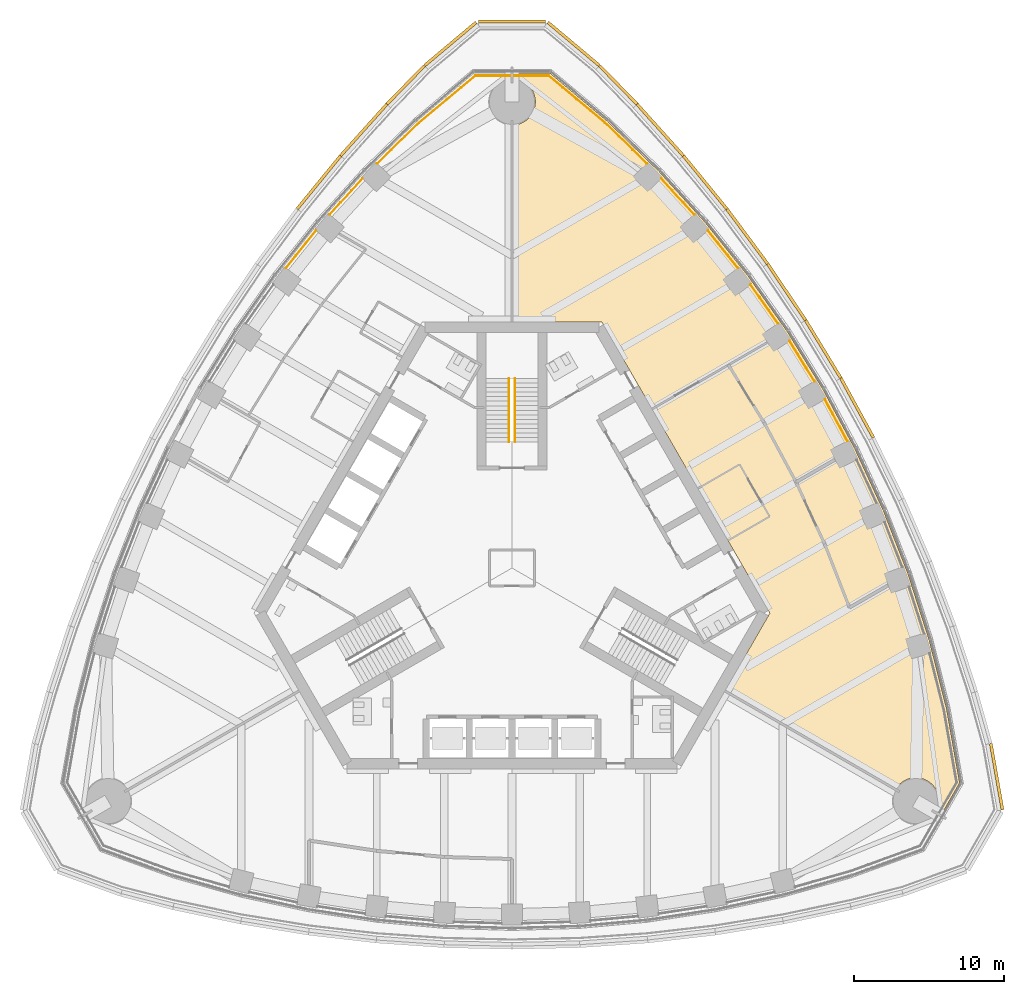
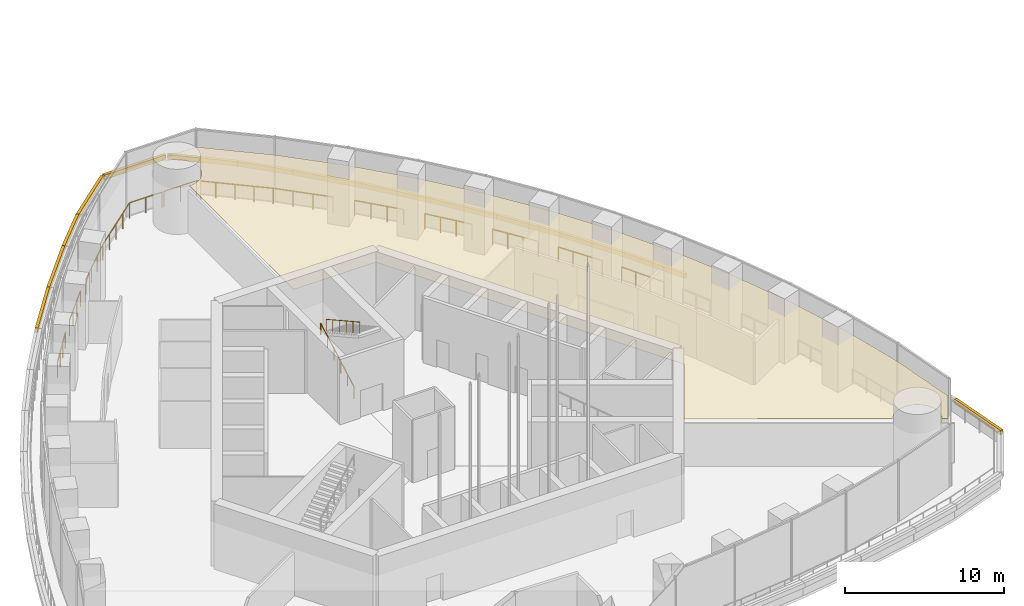
# One storey, part 16 of 26: 15 coverings, 11 railings.
"""IFC4 building model written with IfcOpenShell, lengths in metres."""

from ifc_helpers import new_model, si_unit, direction, frame, origin, origin_2d, place, context, subcontext, project, spatial, polyline, rectangle, circle, outline, extrude, material, layer, layer_set, type_object, element, save


model = new_model("IFC4")

# Units and contexts
model_context = context("Model", 3, precision=1e-05, world=origin(), true_north=direction((0.0, 1.0)))
body_context = subcontext(model_context, "Body", "Model", "MODEL_VIEW")
ifc_project = project(units=[si_unit("LENGTHUNIT", "METRE"), si_unit("AREAUNIT", "SQUARE_METRE"), si_unit("VOLUMEUNIT", "CUBIC_METRE"), si_unit("PLANEANGLEUNIT", "RADIAN"), si_unit("MASSUNIT", "GRAM", prefix="KILO")], contexts=[model_context])

# Site, building, storey
site_placement = place(None, origin())
site = spatial("IfcSite", under=ifc_project, at=site_placement, CompositionType="ELEMENT")
building_placement = place(site_placement, origin())
building = spatial("IfcBuilding", under=site, at=building_placement, Name="Trefoil Bronze Tower", CompositionType="ELEMENT")
storey_placement = place(building_placement, frame((0.0, 0.0, 271.300048828125)))
storey = spatial("IfcBuildingStorey", under=building, at=storey_placement, Name="L62", CompositionType="ELEMENT", Elevation=271.300048828125)

# Covering
ifc_material_1 = material(Name="Bronze metal ceiling panels", Category="metal")
ifc_layer = layer(ifc_material_1, 0.02001953125)
ifc_layer_set = layer_set([ifc_layer], Name="Feature ceiling 20")
covering_type_1 = type_object("IfcCoveringType", Name="Feature ceiling 20", PredefinedType="CEILING", material=ifc_layer_set)
covering_1_placement = place(storey_placement, frame((0.0, 0.0, 3.599853515625)))
element("IfcCovering", 1, at=covering_1_placement, inside=storey, type_object=covering_type_1, Name="Ceiling L62 Sky lobby F2", PredefinedType="CEILING", context=body_context, shape_type="SweptSolid", body=[
    extrude(outline(polyline([(9.741455078125, 26.408935546875), (12.836181640625, 22.99951171875), (15.682861328125, 19.44677734375), (18.2880859375, 15.7548828125), (20.656005859375, 11.92578125), (22.7880859375, 7.960693359375), (24.682861328125, 3.8583984375), (26.336181640625, -0.38330078125), (27.741455078125, -4.76806640625), (28.899169921875, -9.3515625), (29.770263671875, -14.291748046875), (28.522216796875, -16.453125), (28.19482421875, -16.26416015625), (28.2138671875, -16.230712890625), (28.248046875, -16.16259765625), (28.27880859375, -16.09326171875), (28.30615234375, -16.022216796875), (28.330078125, -15.949951171875), (28.350341796875, -15.876708984375), (28.366943359375, -15.802490234375), (28.3798828125, -15.727294921875), (28.389404296875, -15.65185546875), (28.39501953125, -15.576171875), (28.396728515625, -15.5), (28.39501953125, -15.423828125), (28.389404296875, -15.34814453125), (28.3798828125, -15.272705078125), (28.366943359375, -15.197509765625), (28.350341796875, -15.123291015625), (28.330078125, -15.050048828125), (28.30615234375, -14.977783203125), (28.27880859375, -14.90673828125), (28.248046875, -14.83740234375), (28.2138671875, -14.769287109375), (28.17626953125, -14.703125), (28.135498046875, -14.638916015625), (28.091796875, -14.57666015625), (28.044921875, -14.5166015625), (27.995361328125, -14.458984375), (27.94287109375, -14.404052734375), (27.8876953125, -14.3515625), (27.830078125, -14.3017578125), (27.77001953125, -14.2548828125), (27.7080078125, -14.211181640625), (27.6435546875, -14.17041015625), (27.577392578125, -14.133056640625), (27.509521484375, -14.098876953125), (27.43994140625, -14.068115234375), (27.368896484375, -14.04052734375), (27.296630859375, -14.0166015625), (27.223388671875, -13.99658203125), (27.149169921875, -13.979736328125), (27.07421875, -13.966796875), (26.998779296875, -13.95751953125), (26.9228515625, -13.951904296875), (26.8466796875, -13.949951171875), (26.770751953125, -13.951904296875), (26.69482421875, -13.95751953125), (26.619384765625, -13.966796875), (26.54443359375, -13.979736328125), (26.47021484375, -13.99658203125), (26.396728515625, -14.0166015625), (26.32470703125, -14.04052734375), (26.253662109375, -14.068115234375), (26.18408203125, -14.098876953125), (26.1162109375, -14.133056640625), (26.0498046875, -14.17041015625), (25.985595703125, -14.211181640625), (25.923583984375, -14.2548828125), (25.863525390625, -14.3017578125), (25.805908203125, -14.3515625), (25.750732421875, -14.404052734375), (25.6982421875, -14.458984375), (25.648681640625, -14.5166015625), (25.601806640625, -14.57666015625), (25.55810546875, -14.638916015625), (25.51025390625, -14.715576171875), (14.16259765625, -8.169677734375), (17.147216796875, -3.0), (5.9755859375, 16.35009765625), (0.006103515625, 16.35009765625), (0.010986328125, 29.4501953125), (0.076171875, 29.451904296875), (0.15185546875, 29.45751953125), (0.227294921875, 29.466796875), (0.302490234375, 29.479736328125), (0.376708984375, 29.49658203125), (0.449951171875, 29.5166015625), (0.522216796875, 29.54052734375), (0.59326171875, 29.568115234375), (0.66259765625, 29.598876953125), (0.730712890625, 29.633056640625), (0.796875, 29.67041015625), (0.861083984375, 29.711181640625), (0.92333984375, 29.7548828125), (0.9833984375, 29.8017578125), (1.041015625, 29.8515625), (1.095947265625, 29.904052734375), (1.1484375, 29.958984375), (1.1982421875, 30.0166015625), (1.2451171875, 30.07666015625), (1.288818359375, 30.138916015625), (1.32958984375, 30.203125), (1.366943359375, 30.269287109375), (1.401123046875, 30.33740234375), (1.431884765625, 30.40673828125), (1.45947265625, 30.477783203125), (1.4833984375, 30.550048828125), (1.50341796875, 30.623291015625), (1.520263671875, 30.697509765625), (1.533203125, 30.772705078125), (1.54248046875, 30.84814453125), (1.548095703125, 30.923828125), (1.550048828125, 31.0), (1.548095703125, 31.076171875), (1.54248046875, 31.15185546875), (1.533203125, 31.227294921875), (1.520263671875, 31.302490234375), (1.50341796875, 31.376708984375), (1.4833984375, 31.449951171875), (1.45947265625, 31.522216796875), (1.431884765625, 31.59326171875), (1.401123046875, 31.66259765625), (1.366943359375, 31.730712890625), (1.32958984375, 31.796875), (1.288818359375, 31.861083984375), (1.2451171875, 31.92333984375), (1.1982421875, 31.9833984375), (1.1484375, 32.041015625), (1.095947265625, 32.095947265625), (1.041015625, 32.1484375), (0.9833984375, 32.1982421875), (0.92333984375, 32.2451171875), (0.861083984375, 32.288818359375), (0.796875, 32.32958984375), (0.730712890625, 32.366943359375), (0.66259765625, 32.401123046875), (0.59326171875, 32.431884765625), (0.522216796875, 32.45947265625), (0.449951171875, 32.4833984375), (0.376708984375, 32.50341796875), (0.302490234375, 32.520263671875), (0.227294921875, 32.533203125), (0.15185546875, 32.54248046875), (0.076171875, 32.548095703125), (0.01220703125, 32.5498046875), (0.01220703125, 32.927490234375), (2.508056640625, 32.927490234375), (6.350830078125, 29.703125), (9.741455078125, 26.408935546875)])), origin(), (0.0, 0.0, 1.0), 0.02001953125),
])

# Railings
ifc_material_2 = material(Name="Bronze-finish steel guard rail and posts", Category="steel")
railing_type_1 = type_object("IfcRailingType", Name="Glazing guard 1200", PredefinedType="GUARDRAIL", material=ifc_material_2)
railing_1_placement = place(storey_placement, frame((22.300537109375, 8.4453125, 0.0)))
element("IfcRailing", 2, at=railing_1_placement, inside=storey, type_object=railing_type_1, Name="Glazing guard L62.17", PredefinedType="GUARDRAIL", context=body_context, shape_type="SweptSolid", body=[
    extrude(circle(Radius=0.02392578125, at=origin_2d()), frame((0.0, 0.0, 1.17578125), z_axis=(-0.473594017686, 0.880743269297, 0.0), x_axis=(-0.880743269297, -0.473594017686, 0.0)), (0.0, 0.0, 1.0), 3.137939453125),
    extrude(circle(Radius=0.02099609375, at=origin_2d()), origin(), (0.0, 0.0, 1.0), 1.15185546875),
    extrude(circle(Radius=0.02099609375, at=origin_2d()), frame((-0.495361328125, 0.921142578125, 0.0)), (0.0, 0.0, 1.0), 1.15185546875),
    extrude(circle(Radius=0.02099609375, at=origin_2d()), frame((-0.99072265625, 1.842529296875, 0.0)), (0.0, 0.0, 1.0), 1.15185546875),
    extrude(circle(Radius=0.02099609375, at=origin_2d()), frame((-1.486083984375, 2.763671875, 0.0)), (0.0, 0.0, 1.0), 1.15185546875),
])
railing_2_placement = place(storey_placement, frame((20.114501953125, 12.42138671875, 0.0)))
element("IfcRailing", 3, at=railing_2_placement, inside=storey, type_object=railing_type_1, Name="Glazing guard L62.18", PredefinedType="GUARDRAIL", context=body_context, shape_type="SweptSolid", body=[
    extrude(circle(Radius=0.02392578125, at=origin_2d()), frame((0.0, 0.0, 1.17578125), z_axis=(-0.525971523936, 0.85050217872, 0.0), x_axis=(-0.85050217872, -0.525971523936, 0.0)), (0.0, 0.0, 1.0), 3.1376953125),
    extrude(circle(Radius=0.02099609375, at=origin_2d()), origin(), (0.0, 0.0, 1.0), 1.15185546875),
    extrude(circle(Radius=0.02099609375, at=origin_2d()), frame((-0.550048828125, 0.8896484375, 0.0)), (0.0, 0.0, 1.0), 1.15185546875),
    extrude(circle(Radius=0.02099609375, at=origin_2d()), frame((-1.100341796875, 1.779052734375, 0.0)), (0.0, 0.0, 1.0), 1.15185546875),
    extrude(circle(Radius=0.02099609375, at=origin_2d()), frame((-1.650390625, 2.668701171875, 0.0)), (0.0, 0.0, 1.0), 1.15185546875),
])
railing_3_placement = place(storey_placement, frame((17.690185546875, 16.2568359375, 0.0)))
element("IfcRailing", 4, at=railing_3_placement, inside=storey, type_object=railing_type_1, Name="Glazing guard L62.19", PredefinedType="GUARDRAIL", context=body_context, shape_type="SweptSolid", body=[
    extrude(circle(Radius=0.02392578125, at=origin_2d()), frame((0.0, 0.0, 1.17578125), z_axis=(-0.576595086234, 0.817030052404, 0.0), x_axis=(-0.817030052404, -0.576595086234, 0.0)), (0.0, 0.0, 1.0), 3.15478515625),
    extrude(circle(Radius=0.02099609375, at=origin_2d()), origin(), (0.0, 0.0, 1.0), 1.15185546875),
    extrude(circle(Radius=0.02099609375, at=origin_2d()), frame((-0.6064453125, 0.859130859375, 0.0)), (0.0, 0.0, 1.0), 1.15185546875),
    extrude(circle(Radius=0.02099609375, at=origin_2d()), frame((-1.212646484375, 1.718505859375, 0.0)), (0.0, 0.0, 1.0), 1.15185546875),
    extrude(circle(Radius=0.02099609375, at=origin_2d()), frame((-1.819091796875, 2.57763671875, 0.0)), (0.0, 0.0, 1.0), 1.15185546875),
])
railing_4_placement = place(storey_placement, frame((15.02587890625, 19.95068359375, 0.0)))
element("IfcRailing", 5, at=railing_4_placement, inside=storey, type_object=railing_type_1, Name="Glazing guard L62.20", PredefinedType="GUARDRAIL", context=body_context, shape_type="SweptSolid", body=[
    extrude(circle(Radius=0.02392578125, at=origin_2d()), frame((0.0, 0.0, 1.17578125), z_axis=(-0.625310886212, 0.780375740002, 0.0), x_axis=(-0.780375740002, -0.625310886212, 0.0)), (0.0, 0.0, 1.0), 3.18994140625),
    extrude(circle(Radius=0.02099609375, at=origin_2d()), origin(), (0.0, 0.0, 1.0), 1.15185546875),
    extrude(circle(Radius=0.02099609375, at=origin_2d()), frame((-0.664794921875, 0.829833984375, 0.0)), (0.0, 0.0, 1.0), 1.15185546875),
    extrude(circle(Radius=0.02099609375, at=origin_2d()), frame((-1.329833984375, 1.659423828125, 0.0)), (0.0, 0.0, 1.0), 1.15185546875),
    extrude(circle(Radius=0.02099609375, at=origin_2d()), frame((-1.99462890625, 2.4892578125, 0.0)), (0.0, 0.0, 1.0), 1.15185546875),
])
railing_5_placement = place(storey_placement, frame((12.117431640625, 23.50048828125, 0.0)))
element("IfcRailing", 6, at=railing_5_placement, inside=storey, type_object=railing_type_1, Name="Glazing guard L62.21", PredefinedType="GUARDRAIL", context=body_context, shape_type="SweptSolid", body=[
    extrude(circle(Radius=0.02392578125, at=origin_2d()), frame((0.0, 0.0, 1.17578125), z_axis=(-0.672110671596, 0.740450704049, 0.0), x_axis=(-0.740450704049, -0.672110671596, 0.0)), (0.0, 0.0, 1.0), 3.243896484375),
    extrude(circle(Radius=0.02099609375, at=origin_2d()), origin(), (0.0, 0.0, 1.0), 1.15185546875),
    extrude(circle(Radius=0.02099609375, at=origin_2d()), frame((-0.726806640625, 0.800537109375, 0.0)), (0.0, 0.0, 1.0), 1.15185546875),
    extrude(circle(Radius=0.02099609375, at=origin_2d()), frame((-1.453369140625, 1.601318359375, 0.0)), (0.0, 0.0, 1.0), 1.15185546875),
    extrude(circle(Radius=0.02099609375, at=origin_2d()), frame((-2.18017578125, 2.40185546875, 0.0)), (0.0, 0.0, 1.0), 1.15185546875),
])
railing_6_placement = place(storey_placement, frame((8.957275390625, 26.90234375, 0.0)))
element("IfcRailing", 7, at=railing_6_placement, inside=storey, type_object=railing_type_1, Name="Glazing guard L62.22", PredefinedType="GUARDRAIL", context=body_context, shape_type="SweptSolid", body=[
    extrude(circle(Radius=0.02392578125, at=origin_2d()), frame((0.0, 0.0, 1.17578125), z_axis=(-0.717175927829, 0.696892164214, 0.0), x_axis=(-0.696892164214, -0.717175927829, 0.0)), (0.0, 0.0, 1.0), 3.875732421875),
    extrude(circle(Radius=0.02392578125, at=origin_2d()), frame((-2.779541015625, 2.700927734375, 1.17578125), z_axis=(-0.766055639113, 0.642774266585, 0.0), x_axis=(-0.642774266585, -0.766055639113, 0.0)), (0.0, 0.0, 1.0), 4.879638671875),
    extrude(circle(Radius=0.02392578125, at=origin_2d()), frame((-6.517578125, 5.83740234375, 1.17578125), z_axis=(-1.0, 0.0, 0.0), x_axis=(0.0, -1.0, 0.0)), (0.0, 0.0, 1.0), 2.36474609375),
    extrude(circle(Radius=0.02099609375, at=origin_2d()), origin(), (0.0, 0.0, 1.0), 1.15185546875),
    extrude(circle(Radius=0.02099609375, at=origin_2d()), frame((-0.926513671875, 0.900390625, 0.0)), (0.0, 0.0, 1.0), 1.15185546875),
    extrude(circle(Radius=0.02099609375, at=origin_2d()), frame((-1.85302734375, 1.800537109375, 0.0)), (0.0, 0.0, 1.0), 1.15185546875),
    extrude(circle(Radius=0.02099609375, at=origin_2d()), frame((-2.779541015625, 2.700927734375, 0.0)), (0.0, 0.0, 1.0), 1.15185546875),
    extrude(circle(Radius=0.02099609375, at=origin_2d()), frame((-3.714111328125, 3.485107421875, 0.0)), (0.0, 0.0, 1.0), 1.15185546875),
    extrude(circle(Radius=0.02099609375, at=origin_2d()), frame((-4.6484375, 4.26904296875, 0.0)), (0.0, 0.0, 1.0), 1.15185546875),
    extrude(circle(Radius=0.02099609375, at=origin_2d()), frame((-5.5830078125, 5.05322265625, 0.0)), (0.0, 0.0, 1.0), 1.15185546875),
    extrude(circle(Radius=0.02099609375, at=origin_2d()), frame((-6.517578125, 5.83740234375, 0.0)), (0.0, 0.0, 1.0), 1.15185546875),
    extrude(circle(Radius=0.02099609375, at=origin_2d()), frame((-7.699951171875, 5.83740234375, 0.0)), (0.0, 0.0, 1.0), 1.15185546875),
    extrude(circle(Radius=0.02099609375, at=origin_2d()), frame((-8.88232421875, 5.83740234375, 0.0)), (0.0, 0.0, 1.0), 1.15185546875),
])
railing_7_placement = place(storey_placement, frame((-0.074951171875, 32.73974609375, 0.0)))
element("IfcRailing", 8, at=railing_7_placement, inside=storey, type_object=railing_type_1, Name="Glazing guard L62.23", PredefinedType="GUARDRAIL", context=body_context, shape_type="SweptSolid", body=[
    extrude(circle(Radius=0.02392578125, at=origin_2d()), frame((0.0, 0.0, 1.17578125), z_axis=(-1.0, 0.0, 0.0), x_axis=(0.0, -1.0, 0.0)), (0.0, 0.0, 1.0), 2.36474609375),
    extrude(circle(Radius=0.02392578125, at=origin_2d()), frame((-2.36474609375, 0.0, 1.17578125), z_axis=(-0.766055639113, -0.642774266585, 0.0), x_axis=(0.642774266585, -0.766055639113, 0.0)), (0.0, 0.0, 1.0), 4.879638671875),
    extrude(circle(Radius=0.02392578125, at=origin_2d()), frame((-6.102783203125, -3.136474609375, 1.17578125), z_axis=(-0.717175927829, -0.696892164214, 0.0), x_axis=(0.696892164214, -0.717175927829, 0.0)), (0.0, 0.0, 1.0), 3.875732421875),
    extrude(circle(Radius=0.02099609375, at=origin_2d()), origin(), (0.0, 0.0, 1.0), 1.15185546875),
    extrude(circle(Radius=0.02099609375, at=origin_2d()), frame((-1.182373046875, 0.0, 0.0)), (0.0, 0.0, 1.0), 1.15185546875),
    extrude(circle(Radius=0.02099609375, at=origin_2d()), frame((-2.36474609375, 0.0, 0.0)), (0.0, 0.0, 1.0), 1.15185546875),
    extrude(circle(Radius=0.02099609375, at=origin_2d()), frame((-3.29931640625, -0.7841796875, 0.0)), (0.0, 0.0, 1.0), 1.15185546875),
    extrude(circle(Radius=0.02099609375, at=origin_2d()), frame((-4.23388671875, -1.568359375, 0.0)), (0.0, 0.0, 1.0), 1.15185546875),
    extrude(circle(Radius=0.02099609375, at=origin_2d()), frame((-5.168212890625, -2.352294921875, 0.0)), (0.0, 0.0, 1.0), 1.15185546875),
    extrude(circle(Radius=0.02099609375, at=origin_2d()), frame((-6.102783203125, -3.136474609375, 0.0)), (0.0, 0.0, 1.0), 1.15185546875),
    extrude(circle(Radius=0.02099609375, at=origin_2d()), frame((-7.029296875, -4.036865234375, 0.0)), (0.0, 0.0, 1.0), 1.15185546875),
    extrude(circle(Radius=0.02099609375, at=origin_2d()), frame((-7.955810546875, -4.93701171875, 0.0)), (0.0, 0.0, 1.0), 1.15185546875),
    extrude(circle(Radius=0.02099609375, at=origin_2d()), frame((-8.88232421875, -5.83740234375, 0.0)), (0.0, 0.0, 1.0), 1.15185546875),
])
railing_8_placement = place(storey_placement, frame((-9.937255859375, 25.90234375, 0.0)))
element("IfcRailing", 9, at=railing_8_placement, inside=storey, type_object=railing_type_1, Name="Glazing guard L62.24", PredefinedType="GUARDRAIL", context=body_context, shape_type="SweptSolid", body=[
    extrude(circle(Radius=0.02392578125, at=origin_2d()), frame((0.0, 0.0, 1.17578125), z_axis=(-0.672110671596, -0.740450704049, 0.0), x_axis=(0.740450704049, -0.672110671596, 0.0)), (0.0, 0.0, 1.0), 3.243896484375),
    extrude(circle(Radius=0.02099609375, at=origin_2d()), origin(), (0.0, 0.0, 1.0), 1.15185546875),
    extrude(circle(Radius=0.02099609375, at=origin_2d()), frame((-0.726806640625, -0.800537109375, 0.0)), (0.0, 0.0, 1.0), 1.15185546875),
    extrude(circle(Radius=0.02099609375, at=origin_2d()), frame((-1.453369140625, -1.601318359375, 0.0)), (0.0, 0.0, 1.0), 1.15185546875),
    extrude(circle(Radius=0.02099609375, at=origin_2d()), frame((-2.18017578125, -2.40185546875, 0.0)), (0.0, 0.0, 1.0), 1.15185546875),
])
railing_9_placement = place(storey_placement, frame((-13.03125, 22.43994140625, 0.0)))
element("IfcRailing", 10, at=railing_9_placement, inside=storey, type_object=railing_type_1, Name="Glazing guard L62.25", PredefinedType="GUARDRAIL", context=body_context, shape_type="SweptSolid", body=[
    extrude(circle(Radius=0.02392578125, at=origin_2d()), frame((0.0, 0.0, 1.17578125), z_axis=(-0.625310886212, -0.780375740002, 0.0), x_axis=(0.780375740002, -0.625310886212, 0.0)), (0.0, 0.0, 1.0), 3.18994140625),
    extrude(circle(Radius=0.02099609375, at=origin_2d()), origin(), (0.0, 0.0, 1.0), 1.15185546875),
    extrude(circle(Radius=0.02099609375, at=origin_2d()), frame((-0.664794921875, -0.829833984375, 0.0)), (0.0, 0.0, 1.0), 1.15185546875),
    extrude(circle(Radius=0.02099609375, at=origin_2d()), frame((-1.329833984375, -1.659423828125, 0.0)), (0.0, 0.0, 1.0), 1.15185546875),
    extrude(circle(Radius=0.02099609375, at=origin_2d()), frame((-1.99462890625, -2.4892578125, 0.0)), (0.0, 0.0, 1.0), 1.15185546875),
])
ifc_material_3 = material(Name="Steel handrail", Category="steel")
railing_type_2 = type_object("IfcRailingType", Name="Handrail 900", PredefinedType="HANDRAIL", material=ifc_material_3)
railing_10_placement = place(storey_placement, frame((-0.199951171875, 8.389892578125, 0.16650390625)))
element("IfcRailing", 11, at=railing_10_placement, inside=storey, type_object=railing_type_2, Name="Handrail ST2 flight 1 L62", PredefinedType="HANDRAIL", context=body_context, shape_type="SweptSolid", body=[
    extrude(circle(Radius=0.02392578125, at=origin_2d()), frame((0.0, 0.0, 0.8759765625), z_axis=(0.0, 0.874152482588, 0.485651559438), x_axis=(-1.0, 0.0, 0.0)), (0.0, 0.0, 1.0), 4.804931640625),
    extrude(circle(Radius=0.02099609375, at=origin_2d()), origin(), (0.0, 0.0, 1.0), 0.851806640625),
    extrude(circle(Radius=0.02099609375, at=origin_2d()), frame((0.0, 0.840087890625, 0.466796875)), (0.0, 0.0, 1.0), 0.851806640625),
    extrude(circle(Radius=0.02099609375, at=origin_2d()), frame((0.0, 1.68017578125, 0.933349609375)), (0.0, 0.0, 1.0), 0.851806640625),
    extrude(circle(Radius=0.02099609375, at=origin_2d()), frame((0.0, 2.52001953125, 1.400146484375)), (0.0, 0.0, 1.0), 0.851806640625),
    extrude(circle(Radius=0.02099609375, at=origin_2d()), frame((0.0, 3.360107421875, 1.86669921875)), (0.0, 0.0, 1.0), 0.851806640625),
    extrude(circle(Radius=0.02099609375, at=origin_2d()), frame((0.0, 4.2001953125, 2.33349609375)), (0.0, 0.0, 1.0), 0.851806640625),
])
railing_11_placement = place(storey_placement, frame((0.199951171875, 12.590087890625, 2.66650390625)))
element("IfcRailing", 12, at=railing_11_placement, inside=storey, type_object=railing_type_2, Name="Handrail ST2 flight 2 L62", PredefinedType="HANDRAIL", context=body_context, shape_type="SweptSolid", body=[
    extrude(circle(Radius=0.02392578125, at=origin_2d()), frame((0.0, 0.0, 0.8759765625), z_axis=(0.0, -0.874152482588, 0.485651559438), x_axis=(1.0, 0.0, 0.0)), (0.0, 0.0, 1.0), 4.804931640625),
    extrude(circle(Radius=0.02099609375, at=origin_2d()), origin(), (0.0, 0.0, 1.0), 0.851806640625),
    extrude(circle(Radius=0.02099609375, at=origin_2d()), frame((0.0, -0.840087890625, 0.466796875)), (0.0, 0.0, 1.0), 0.851806640625),
    extrude(circle(Radius=0.02099609375, at=origin_2d()), frame((0.0, -1.68017578125, 0.933349609375)), (0.0, 0.0, 1.0), 0.851806640625),
    extrude(circle(Radius=0.02099609375, at=origin_2d()), frame((0.0, -2.52001953125, 1.400146484375)), (0.0, 0.0, 1.0), 0.851806640625),
    extrude(circle(Radius=0.02099609375, at=origin_2d()), frame((0.0, -3.360107421875, 1.86669921875)), (0.0, 0.0, 1.0), 0.851806640625),
    extrude(circle(Radius=0.02099609375, at=origin_2d()), frame((0.0, -4.2001953125, 2.33349609375)), (0.0, 0.0, 1.0), 0.851806640625),
])

# Coverings
ifc_material_4 = material(Name="Stepped bronze-finish aluminium cornice", Category="aluminium")
covering_type_2 = type_object("IfcCoveringType", Name="Setback cornice 350x200", PredefinedType="MOLDING", material=ifc_material_4)
covering_2_placement = place(storey_placement, frame((32.228271484375, -13.87744140625, 0.75), z_axis=(0.0, 0.0, 1.0), x_axis=(-0.173648177547, 0.984807753033, 0.0)))
element("IfcCovering", 13, at=covering_2_placement, inside=storey, type_object=covering_type_2, Name="Setback cornice L62.14", PredefinedType="MOLDING", context=body_context, shape_type="SweptSolid", body=[
    extrude(rectangle(XDim=4.474853515625, YDim=0.199951171875, at=origin_2d()), origin(), (0.0, 0.0, 1.0), 0.35009765625),
])
for number, where, z_axis, x_axis, name in (
    (14, (22.950439453125, 10.646484375, 0.75), (0.0, 0.0, 1.0), (-0.479974003443, 0.87728271157, 0.0), "Setback cornice L62.20"),
    (15, (20.6953125, 14.552490234375, 0.75), (0.0, 0.0, 1.0), (-0.519762112709, 0.854311035977, 0.0), "Setback cornice L62.21"),
):
    element("IfcCovering", number, at=place(storey_placement, frame(where, z_axis=z_axis, x_axis=x_axis)), inside=storey, type_object=covering_type_2, Name=name, PredefinedType="MOLDING", context=body_context, shape_type="SweptSolid", body=[
        extrude(rectangle(XDim=4.501220703125, YDim=0.199951171875, at=origin_2d()), origin(), (0.0, 0.0, 1.0), 0.35009765625),
    ])
covering_3_placement = place(storey_placement, frame((18.26025390625, 18.354736328125, 0.75), z_axis=(0.0, 0.0, 1.0), x_axis=(-0.558493494663, 0.829508900747, 0.0)))
element("IfcCovering", 16, at=covering_3_placement, inside=storey, type_object=covering_type_2, Name="Setback cornice L62.22", PredefinedType="MOLDING", context=body_context, shape_type="SweptSolid", body=[
    extrude(rectangle(XDim=4.5107421875, YDim=0.199951171875, at=origin_2d()), origin(), (0.0, 0.0, 1.0), 0.35009765625),
])
covering_4_placement = place(storey_placement, frame((15.64453125, 22.052490234375, 0.75), z_axis=(0.0, 0.0, 1.0), x_axis=(-0.596161526117, 0.80286451832, 0.0)))
element("IfcCovering", 17, at=covering_4_placement, inside=storey, type_object=covering_type_2, Name="Setback cornice L62.23", PredefinedType="MOLDING", context=body_context, shape_type="SweptSolid", body=[
    extrude(rectangle(XDim=4.530029296875, YDim=0.199951171875, at=origin_2d()), origin(), (0.0, 0.0, 1.0), 0.35009765625),
])
covering_5_placement = place(storey_placement, frame((12.84521484375, 25.64453125, 0.75), z_axis=(0.0, 0.0, 1.0), x_axis=(-0.632752612929, 0.774354008727, 0.0)))
element("IfcCovering", 18, at=covering_5_placement, inside=storey, type_object=covering_type_2, Name="Setback cornice L62.24", PredefinedType="MOLDING", context=body_context, shape_type="SweptSolid", body=[
    extrude(rectangle(XDim=4.559326171875, YDim=0.199951171875, at=origin_2d()), origin(), (0.0, 0.0, 1.0), 0.35009765625),
])
covering_6_placement = place(storey_placement, frame((9.859130859375, 29.128662109375, 0.75), z_axis=(0.0, 0.0, 1.0), x_axis=(-0.668245744076, 0.743940606181, 0.0)))
element("IfcCovering", 19, at=covering_6_placement, inside=storey, type_object=covering_type_2, Name="Setback cornice L62.25", PredefinedType="MOLDING", context=body_context, shape_type="SweptSolid", body=[
    extrude(rectangle(XDim=4.599365234375, YDim=0.199951171875, at=origin_2d()), origin(), (0.0, 0.0, 1.0), 0.35009765625),
])
covering_7_placement = place(storey_placement, frame((7.071044921875, 32.12109375, 0.75), z_axis=(0.0, 0.0, 1.0), x_axis=(-0.698651812537, 0.715461840239, 0.0)))
element("IfcCovering", 20, at=covering_7_placement, inside=storey, type_object=covering_type_2, Name="Setback cornice L62.26", PredefinedType="MOLDING", context=body_context, shape_type="SweptSolid", body=[
    extrude(rectangle(XDim=3.563720703125, YDim=0.199951171875, at=origin_2d()), origin(), (0.0, 0.0, 1.0), 0.35009765625),
])
for number, where, z_axis, x_axis, name in (
    (21, (4.095947265625, 34.849365234375, 0.75), (0.0, 0.0, 1.0), (-0.766044443074, 0.64278760974, 0.0), "Setback cornice L62.27"),
    (22, (0.0, 36.340087890625, 0.75), (0.0, 0.0, 1.0), (-1.0, 0.0, 0.0), "Setback cornice L62.28"),
    (23, (-4.095947265625, 34.849365234375, 0.75), (0.0, 0.0, 1.0), (-0.766044443074, -0.64278760974, 0.0), "Setback cornice L62.29"),
):
    element("IfcCovering", number, at=place(storey_placement, frame(where, z_axis=z_axis, x_axis=x_axis)), inside=storey, type_object=covering_type_2, Name=name, PredefinedType="MOLDING", context=body_context, shape_type="SweptSolid", body=[
        extrude(rectangle(XDim=4.474853515625, YDim=0.199951171875, at=origin_2d()), origin(), (0.0, 0.0, 1.0), 0.35009765625),
    ])
covering_8_placement = place(storey_placement, frame((-7.071044921875, 32.12109375, 0.75), z_axis=(0.0, 0.0, 1.0), x_axis=(-0.698651812537, -0.715461840239, 0.0)))
element("IfcCovering", 24, at=covering_8_placement, inside=storey, type_object=covering_type_2, Name="Setback cornice L62.30", PredefinedType="MOLDING", context=body_context, shape_type="SweptSolid", body=[
    extrude(rectangle(XDim=3.563720703125, YDim=0.199951171875, at=origin_2d()), origin(), (0.0, 0.0, 1.0), 0.35009765625),
])
covering_9_placement = place(storey_placement, frame((-9.859130859375, 29.128662109375, 0.75), z_axis=(0.0, 0.0, 1.0), x_axis=(-0.668245744076, -0.743940606181, 0.0)))
element("IfcCovering", 25, at=covering_9_placement, inside=storey, type_object=covering_type_2, Name="Setback cornice L62.31", PredefinedType="MOLDING", context=body_context, shape_type="SweptSolid", body=[
    extrude(rectangle(XDim=4.599365234375, YDim=0.199951171875, at=origin_2d()), origin(), (0.0, 0.0, 1.0), 0.35009765625),
])
covering_10_placement = place(storey_placement, frame((-12.84521484375, 25.64453125, 0.75), z_axis=(0.0, 0.0, 1.0), x_axis=(-0.632752612929, -0.774354008727, 0.0)))
element("IfcCovering", 26, at=covering_10_placement, inside=storey, type_object=covering_type_2, Name="Setback cornice L62.32", PredefinedType="MOLDING", context=body_context, shape_type="SweptSolid", body=[
    extrude(rectangle(XDim=4.559326171875, YDim=0.199951171875, at=origin_2d()), origin(), (0.0, 0.0, 1.0), 0.35009765625),
])

save(model, "model.ifc")
